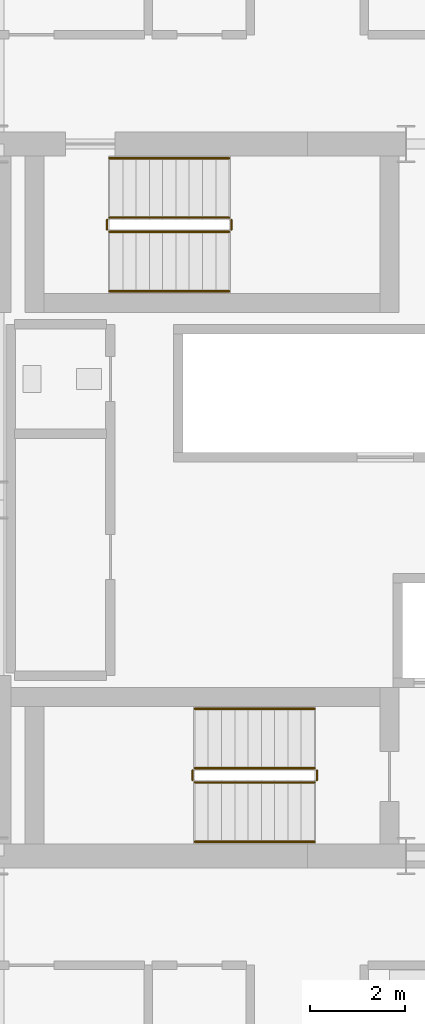
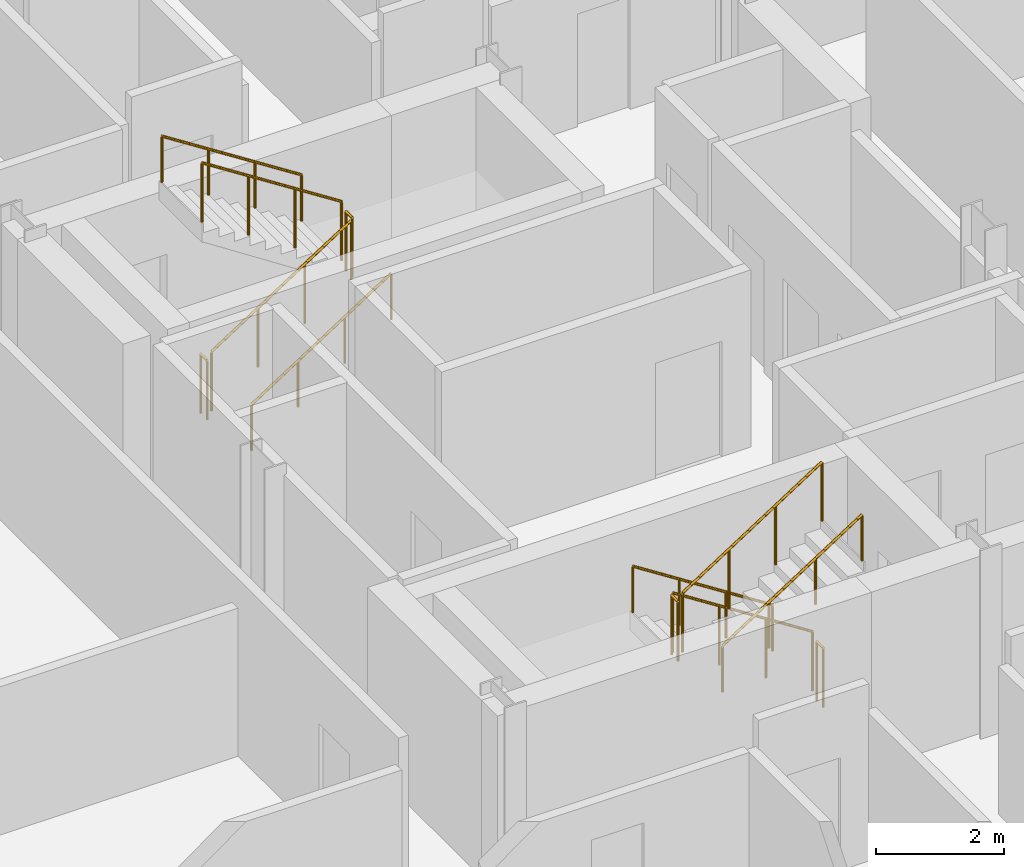
# One storey, part 25 of 26: 12 railings.
"""IFC4 building model written with IfcOpenShell, lengths in metres."""

from ifc_helpers import new_model, si_unit, direction, frame, origin, origin_2d, place, context, subcontext, project, spatial, circle, extrude, material, type_object, element, save


model = new_model("IFC4")

# Units and contexts
model_context = context("Model", 3, precision=1e-05, world=origin(), true_north=direction((0.0, 1.0)))
body_context = subcontext(model_context, "Body", "Model", "MODEL_VIEW")
ifc_project = project(units=[si_unit("LENGTHUNIT", "METRE"), si_unit("AREAUNIT", "SQUARE_METRE"), si_unit("VOLUMEUNIT", "CUBIC_METRE"), si_unit("PLANEANGLEUNIT", "RADIAN"), si_unit("MASSUNIT", "GRAM", prefix="KILO")], contexts=[model_context])

# Site, building, storey
site_placement = place(None, origin())
site = spatial("IfcSite", under=ifc_project, at=site_placement, CompositionType="ELEMENT")
building_placement = place(site_placement, origin())
building = spatial("IfcBuilding", under=site, at=building_placement, Name="Barlavira Tower and Art Museum", CompositionType="ELEMENT")
storey_placement = place(building_placement, frame((0.0, 0.0, 176.39990234375)))
storey = spatial("IfcBuildingStorey", under=building, at=storey_placement, Name="L45", CompositionType="ELEMENT", Elevation=176.39990234375)

# Railings
ifc_material = material(Name="Brushed stainless steel", Category="steel")
railing_type_1 = type_object("IfcRailingType", Name="Interior Void and Landing Guard Railing 1150", PredefinedType="GUARDRAIL", material=ifc_material)
railing_1_placement = place(storey_placement, frame((0.14990234375, -5.64990234375, 0.18017578125)))
element("IfcRailing", 1, at=railing_1_placement, inside=storey, type_object=railing_type_1, Name="L45 ST-T1 stair guard 1", PredefinedType="GUARDRAIL", context=body_context, shape_type="SweptSolid", body=[
    extrude(circle(Radius=0.02392578125, at=origin_2d()), frame((0.0, 0.0, 1.1259765625), z_axis=(-0.841199657755, 0.0, 0.540724639528), x_axis=(0.0, -1.0, 0.0)), (0.0, 0.0, 1.0), 2.995849609375),
    extrude(circle(Radius=0.02099609375, at=origin_2d()), origin(), (0.0, 0.0, 1.0), 1.101806640625),
    extrude(circle(Radius=0.02099609375, at=origin_2d()), frame((-0.840087890625, 0.0, 0.5400390625)), (0.0, 0.0, 1.0), 1.101806640625),
    extrude(circle(Radius=0.02099609375, at=origin_2d()), frame((-1.679931640625, 0.0, 1.079833984375)), (0.0, 0.0, 1.0), 1.101806640625),
    extrude(circle(Radius=0.02099609375, at=origin_2d()), frame((-2.52001953125, 0.0, 1.619873046875)), (0.0, 0.0, 1.0), 1.101806640625),
])
railing_2_placement = place(storey_placement, frame((-2.419921875, -5.699951171875, 1.800048828125)))
element("IfcRailing", 2, at=railing_2_placement, inside=storey, type_object=railing_type_1, Name="L45 ST-T1 stair guard 2", PredefinedType="GUARDRAIL", context=body_context, shape_type="SweptSolid", body=[
    extrude(circle(Radius=0.02392578125, at=origin_2d()), frame((0.0, 0.0, 1.1259765625), z_axis=(0.0, -1.0, 0.0), x_axis=(1.0, 0.0, 0.0)), (0.0, 0.0, 1.0), 0.199951171875),
    extrude(circle(Radius=0.02099609375, at=origin_2d()), origin(), (0.0, 0.0, 1.0), 1.101806640625),
    extrude(circle(Radius=0.02099609375, at=origin_2d()), frame((0.0, -0.199951171875, 0.0)), (0.0, 0.0, 1.0), 1.101806640625),
])
railing_3_placement = place(storey_placement, frame((-2.3701171875, -5.949951171875, 1.97998046875)))
element("IfcRailing", 3, at=railing_3_placement, inside=storey, type_object=railing_type_1, Name="L45 ST-T1 stair guard 3", PredefinedType="GUARDRAIL", context=body_context, shape_type="SweptSolid", body=[
    extrude(circle(Radius=0.02392578125, at=origin_2d()), frame((0.0, 0.0, 1.1259765625), z_axis=(0.841162588446, 0.0, 0.540782303519), x_axis=(0.0, 1.0, 0.0)), (0.0, 0.0, 1.0), 2.995849609375),
    extrude(circle(Radius=0.02099609375, at=origin_2d()), origin(), (0.0, 0.0, 1.0), 1.101806640625),
    extrude(circle(Radius=0.02099609375, at=origin_2d()), frame((0.840087890625, 0.0, 0.5400390625)), (0.0, 0.0, 1.0), 1.101806640625),
    extrude(circle(Radius=0.02099609375, at=origin_2d()), frame((1.679931640625, 0.0, 1.080078125)), (0.0, 0.0, 1.0), 1.101806640625),
    extrude(circle(Radius=0.02099609375, at=origin_2d()), frame((2.52001953125, 0.0, 1.6201171875)), (0.0, 0.0, 1.0), 1.101806640625),
])
railing_4_placement = place(storey_placement, frame((0.199951171875, -5.699951171875, 0.0)))
element("IfcRailing", 4, at=railing_4_placement, inside=storey, type_object=railing_type_1, Name="L45 ST-T1 stair guard 4", PredefinedType="GUARDRAIL", context=body_context, shape_type="SweptSolid", body=[
    extrude(circle(Radius=0.02392578125, at=origin_2d()), frame((0.0, 0.0, 1.1259765625), z_axis=(0.0, -1.0, 0.0), x_axis=(1.0, 0.0, 0.0)), (0.0, 0.0, 1.0), 0.199951171875),
    extrude(circle(Radius=0.02099609375, at=origin_2d()), origin(), (0.0, 0.0, 1.0), 1.101806640625),
    extrude(circle(Radius=0.02099609375, at=origin_2d()), frame((0.0, -0.199951171875, 0.0)), (0.0, 0.0, 1.0), 1.101806640625),
])
railing_5_placement = place(storey_placement, frame((-4.169921875, 5.64990234375, 0.18017578125)))
element("IfcRailing", 5, at=railing_5_placement, inside=storey, type_object=railing_type_1, Name="L45 ST-T2 stair guard 1", PredefinedType="GUARDRAIL", context=body_context, shape_type="SweptSolid", body=[
    extrude(circle(Radius=0.02392578125, at=origin_2d()), frame((0.0, 0.0, 1.1259765625), z_axis=(0.841199657755, 0.0, 0.540724639528), x_axis=(0.0, 1.0, 0.0)), (0.0, 0.0, 1.0), 2.995849609375),
    extrude(circle(Radius=0.02099609375, at=origin_2d()), origin(), (0.0, 0.0, 1.0), 1.101806640625),
    extrude(circle(Radius=0.02099609375, at=origin_2d()), frame((0.840087890625, 0.0, 0.5400390625)), (0.0, 0.0, 1.0), 1.101806640625),
    extrude(circle(Radius=0.02099609375, at=origin_2d()), frame((1.679931640625, 0.0, 1.079833984375)), (0.0, 0.0, 1.0), 1.101806640625),
    extrude(circle(Radius=0.02099609375, at=origin_2d()), frame((2.52001953125, 0.0, 1.619873046875)), (0.0, 0.0, 1.0), 1.101806640625),
])
railing_6_placement = place(storey_placement, frame((-1.60009765625, 5.699951171875, 1.800048828125)))
element("IfcRailing", 6, at=railing_6_placement, inside=storey, type_object=railing_type_1, Name="L45 ST-T2 stair guard 2", PredefinedType="GUARDRAIL", context=body_context, shape_type="SweptSolid", body=[
    extrude(circle(Radius=0.02392578125, at=origin_2d()), frame((0.0, 0.0, 1.1259765625), z_axis=(0.0, 1.0, 0.0), x_axis=(-1.0, 0.0, 0.0)), (0.0, 0.0, 1.0), 0.199951171875),
    extrude(circle(Radius=0.02099609375, at=origin_2d()), origin(), (0.0, 0.0, 1.0), 1.101806640625),
    extrude(circle(Radius=0.02099609375, at=origin_2d()), frame((0.0, 0.199951171875, 0.0)), (0.0, 0.0, 1.0), 1.101806640625),
])
railing_7_placement = place(storey_placement, frame((-1.64990234375, 5.949951171875, 1.97998046875)))
element("IfcRailing", 7, at=railing_7_placement, inside=storey, type_object=railing_type_1, Name="L45 ST-T2 stair guard 3", PredefinedType="GUARDRAIL", context=body_context, shape_type="SweptSolid", body=[
    extrude(circle(Radius=0.02392578125, at=origin_2d()), frame((0.0, 0.0, 1.1259765625), z_axis=(-0.841162588446, 0.0, 0.540782303519), x_axis=(0.0, -1.0, 0.0)), (0.0, 0.0, 1.0), 2.995849609375),
    extrude(circle(Radius=0.02099609375, at=origin_2d()), origin(), (0.0, 0.0, 1.0), 1.101806640625),
    extrude(circle(Radius=0.02099609375, at=origin_2d()), frame((-0.840087890625, 0.0, 0.5400390625)), (0.0, 0.0, 1.0), 1.101806640625),
    extrude(circle(Radius=0.02099609375, at=origin_2d()), frame((-1.679931640625, 0.0, 1.080078125)), (0.0, 0.0, 1.0), 1.101806640625),
    extrude(circle(Radius=0.02099609375, at=origin_2d()), frame((-2.52001953125, 0.0, 1.6201171875)), (0.0, 0.0, 1.0), 1.101806640625),
])
railing_8_placement = place(storey_placement, frame((-4.219970703125, 5.699951171875, 0.0)))
element("IfcRailing", 8, at=railing_8_placement, inside=storey, type_object=railing_type_1, Name="L45 ST-T2 stair guard 4", PredefinedType="GUARDRAIL", context=body_context, shape_type="SweptSolid", body=[
    extrude(circle(Radius=0.02392578125, at=origin_2d()), frame((0.0, 0.0, 1.1259765625), z_axis=(0.0, 1.0, 0.0), x_axis=(-1.0, 0.0, 0.0)), (0.0, 0.0, 1.0), 0.199951171875),
    extrude(circle(Radius=0.02099609375, at=origin_2d()), origin(), (0.0, 0.0, 1.0), 1.101806640625),
    extrude(circle(Radius=0.02099609375, at=origin_2d()), frame((0.0, 0.199951171875, 0.0)), (0.0, 0.0, 1.0), 1.101806640625),
])
railing_type_2 = type_object("IfcRailingType", Name="Stair Pitch Tubular Steel Handrail 920", PredefinedType="HANDRAIL", material=ifc_material)
railing_9_placement = place(storey_placement, frame((0.14990234375, -4.39990234375, 0.18017578125)))
element("IfcRailing", 9, at=railing_9_placement, inside=storey, type_object=railing_type_2, Name="L45 ST-T1 stair handrail 1", PredefinedType="HANDRAIL", context=body_context, shape_type="SweptSolid", body=[
    extrude(circle(Radius=0.02392578125, at=origin_2d()), frame((0.0, 0.0, 0.8759765625), z_axis=(-0.841199657755, 0.0, 0.540724639528), x_axis=(0.0, -1.0, 0.0)), (0.0, 0.0, 1.0), 2.995849609375),
    extrude(circle(Radius=0.02099609375, at=origin_2d()), origin(), (0.0, 0.0, 1.0), 0.851806640625),
    extrude(circle(Radius=0.02099609375, at=origin_2d()), frame((-0.840087890625, 0.0, 0.5400390625)), (0.0, 0.0, 1.0), 0.851806640625),
    extrude(circle(Radius=0.02099609375, at=origin_2d()), frame((-1.679931640625, 0.0, 1.079833984375)), (0.0, 0.0, 1.0), 0.851806640625),
    extrude(circle(Radius=0.02099609375, at=origin_2d()), frame((-2.52001953125, 0.0, 1.619873046875)), (0.0, 0.0, 1.0), 0.851806640625),
])
railing_10_placement = place(storey_placement, frame((-2.3701171875, -7.199951171875, 1.97998046875)))
element("IfcRailing", 10, at=railing_10_placement, inside=storey, type_object=railing_type_2, Name="L45 ST-T1 stair handrail 2", PredefinedType="HANDRAIL", context=body_context, shape_type="SweptSolid", body=[
    extrude(circle(Radius=0.02392578125, at=origin_2d()), frame((0.0, 0.0, 0.8759765625), z_axis=(0.841162588446, 0.0, 0.540782303519), x_axis=(0.0, 1.0, 0.0)), (0.0, 0.0, 1.0), 2.995849609375),
    extrude(circle(Radius=0.02099609375, at=origin_2d()), origin(), (0.0, 0.0, 1.0), 0.851806640625),
    extrude(circle(Radius=0.02099609375, at=origin_2d()), frame((0.840087890625, 0.0, 0.5400390625)), (0.0, 0.0, 1.0), 0.851806640625),
    extrude(circle(Radius=0.02099609375, at=origin_2d()), frame((1.679931640625, 0.0, 1.080078125)), (0.0, 0.0, 1.0), 0.851806640625),
    extrude(circle(Radius=0.02099609375, at=origin_2d()), frame((2.52001953125, 0.0, 1.6201171875)), (0.0, 0.0, 1.0), 0.851806640625),
])
railing_11_placement = place(storey_placement, frame((-4.169921875, 4.39990234375, 0.18017578125)))
element("IfcRailing", 11, at=railing_11_placement, inside=storey, type_object=railing_type_2, Name="L45 ST-T2 stair handrail 1", PredefinedType="HANDRAIL", context=body_context, shape_type="SweptSolid", body=[
    extrude(circle(Radius=0.02392578125, at=origin_2d()), frame((0.0, 0.0, 0.8759765625), z_axis=(0.841199657755, 0.0, 0.540724639528), x_axis=(0.0, 1.0, 0.0)), (0.0, 0.0, 1.0), 2.995849609375),
    extrude(circle(Radius=0.02099609375, at=origin_2d()), origin(), (0.0, 0.0, 1.0), 0.851806640625),
    extrude(circle(Radius=0.02099609375, at=origin_2d()), frame((0.840087890625, 0.0, 0.5400390625)), (0.0, 0.0, 1.0), 0.851806640625),
    extrude(circle(Radius=0.02099609375, at=origin_2d()), frame((1.679931640625, 0.0, 1.079833984375)), (0.0, 0.0, 1.0), 0.851806640625),
    extrude(circle(Radius=0.02099609375, at=origin_2d()), frame((2.52001953125, 0.0, 1.619873046875)), (0.0, 0.0, 1.0), 0.851806640625),
])
railing_12_placement = place(storey_placement, frame((-1.64990234375, 7.199951171875, 1.97998046875)))
element("IfcRailing", 12, at=railing_12_placement, inside=storey, type_object=railing_type_2, Name="L45 ST-T2 stair handrail 2", PredefinedType="HANDRAIL", context=body_context, shape_type="SweptSolid", body=[
    extrude(circle(Radius=0.02392578125, at=origin_2d()), frame((0.0, 0.0, 0.8759765625), z_axis=(-0.841162588446, 0.0, 0.540782303519), x_axis=(0.0, -1.0, 0.0)), (0.0, 0.0, 1.0), 2.995849609375),
    extrude(circle(Radius=0.02099609375, at=origin_2d()), origin(), (0.0, 0.0, 1.0), 0.851806640625),
    extrude(circle(Radius=0.02099609375, at=origin_2d()), frame((-0.840087890625, 0.0, 0.5400390625)), (0.0, 0.0, 1.0), 0.851806640625),
    extrude(circle(Radius=0.02099609375, at=origin_2d()), frame((-1.679931640625, 0.0, 1.080078125)), (0.0, 0.0, 1.0), 0.851806640625),
    extrude(circle(Radius=0.02099609375, at=origin_2d()), frame((-2.52001953125, 0.0, 1.6201171875)), (0.0, 0.0, 1.0), 0.851806640625),
])

save(model, "model.ifc")
